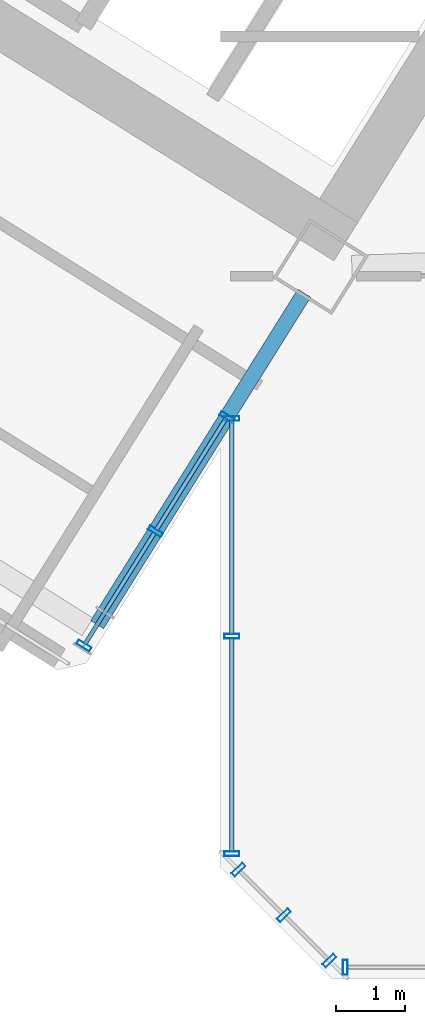
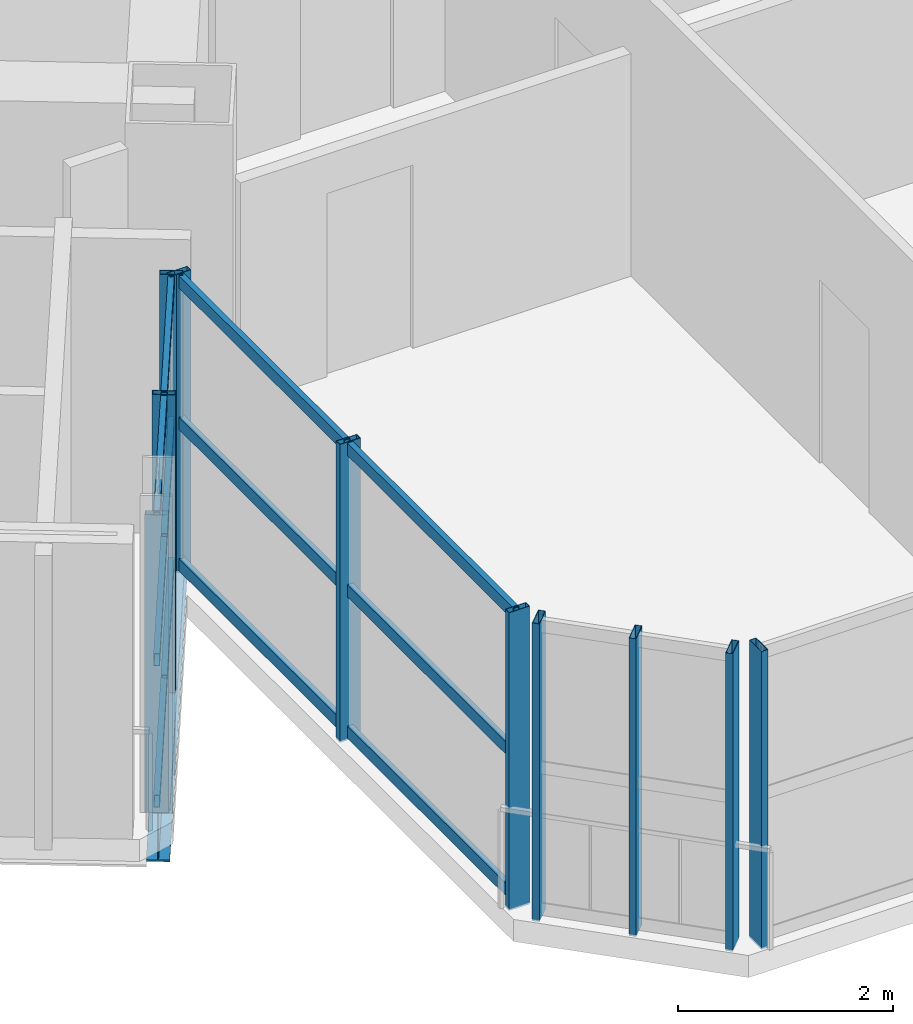
# One storey, part 5 of 28: 22 members, 1 beam, 4 elements without a shape of their own.
"""IFC4 building model written with IfcOpenShell, lengths in metres."""

import ifcopenshell
import ifcopenshell.guid

model = None  # the IFC model being written
_history = None  # IfcOwnerHistory: only IFC2X3 demands one
_inside = {}  # id of a spatial element -> (the spatial element, [elements in it])
_under = {}  # id of a project, library or spatial element -> (it, [spatial elements below it])
_declared = {}  # id of a project -> (the project, [libraries it declares])
_typed = {}  # id of a type object -> (the type object, [elements of that type])
_made_of = {}  # id of a material, layer set ... -> (it, [elements and type objects made of it])


def new_model(schema):
    """Start an empty IFC model of exactly this schema.

    Asked for "IFC4X3", IfcOpenShell would pick the latest addendum, in which some entities
    have other attributes; the version numbers below select the first issue.
    IFC2X3 requires an IfcOwnerHistory on every rooted entity: one is made here for all.
    """
    global model, _history
    if schema == "IFC4X3":
        model = ifcopenshell.file(schema_version=(4, 3, 0, 0))
    else:
        model = ifcopenshell.file(schema=schema)
    _inside.clear()
    _under.clear()
    _declared.clear()
    _typed.clear()
    _made_of.clear()
    _history = None
    if model.schema == "IFC2X3":
        org = make("IfcOrganization", Name="unknown")
        user = make(
            "IfcPersonAndOrganization",
            ThePerson=make("IfcPerson", FamilyName="unknown"),
            TheOrganization=org,
        )
        app = make(
            "IfcApplication",
            ApplicationDeveloper=org,
            Version="unknown",
            ApplicationFullName="unknown",
            ApplicationIdentifier="unknown",
        )
        _history = make(
            "IfcOwnerHistory",
            OwningUser=user,
            OwningApplication=app,
            ChangeAction="ADDED",
            CreationDate=0,
        )
    return model


def make(cls, **values):
    """One entity of the class cls with the attributes given. An attribute that is None is left unset."""
    return model.create_entity(
        cls, **{name: value for name, value in values.items() if value is not None}
    )


def rooted(cls, **values):
    """An entity with a GlobalId (a new one), such as an element, a storey or a relation."""
    return make(cls, GlobalId=ifcopenshell.guid.new(), OwnerHistory=_history, **values)


def si_unit(unit_type, name, prefix=None):
    """IfcSIUnit, for example si_unit("LENGTHUNIT", "METRE", prefix="MILLI")."""
    return make("IfcSIUnit", UnitType=unit_type, Prefix=prefix, Name=name)


def assignment(units):
    """IfcUnitAssignment: the units of a project."""
    return None if units is None else make("IfcUnitAssignment", Units=units)


def point(xyz):
    """IfcCartesianPoint."""
    return None if xyz is None else make("IfcCartesianPoint", Coordinates=xyz)


def direction(xyz):
    """IfcDirection."""
    return None if xyz is None else make("IfcDirection", DirectionRatios=xyz)


def frame(location, z_axis=None, x_axis=None):
    """IfcAxis2Placement3D, a coordinate frame: its origin and axes. An axis left out is left unset."""
    return make(
        "IfcAxis2Placement3D",
        Location=point(location),
        Axis=direction(z_axis),
        RefDirection=direction(x_axis),
    )


def frame_2d(location, x_axis=None):
    """IfcAxis2Placement2D, a coordinate frame in the plane: its origin and x axis."""
    return make(
        "IfcAxis2Placement2D", Location=point(location), RefDirection=direction(x_axis)
    )


def origin():
    """The frame at (0, 0, 0) with its axes left unset."""
    return frame((0.0, 0.0, 0.0))


def origin_2d():
    """The frame at (0, 0) in the plane with its x axis left unset."""
    return frame_2d((0.0, 0.0))


def place(relative_to, where):
    """IfcLocalPlacement: puts the frame where relative to a parent placement (None: the world)."""
    return make(
        "IfcLocalPlacement", PlacementRelTo=relative_to, RelativePlacement=where
    )


def context(
    kind, dimensions, precision=None, world=None, true_north=None, identifier=None
):
    """IfcGeometricRepresentationContext, for example the 3D "Model" context."""
    return make(
        "IfcGeometricRepresentationContext",
        ContextIdentifier=identifier,
        ContextType=kind,
        CoordinateSpaceDimension=dimensions,
        Precision=precision,
        WorldCoordinateSystem=world,
        TrueNorth=true_north,
    )


def subcontext(parent, identifier, kind, view, scale=None):
    """IfcGeometricRepresentationSubContext, for example "Body" below "Model"."""
    return make(
        "IfcGeometricRepresentationSubContext",
        ContextIdentifier=identifier,
        ContextType=kind,
        ParentContext=parent,
        TargetScale=scale,
        TargetView=view,
    )


def project(units=None, contexts=None):
    """IfcProject with its units and contexts."""
    return rooted(
        "IfcProject",
        Name="project",
        RepresentationContexts=contexts,
        UnitsInContext=assignment(units),
    )


def spatial(cls, under=None, at=None, **own):
    """A site, building, storey or space (cls), placed at a placement, below another one or the project."""
    s = rooted(cls, ObjectPlacement=at, **own)
    if under is not None:
        _under.setdefault(under.id(), (under, []))[1].append(s)
    return s


def profile(cls, at=None, kind="AREA", **sizes):
    """A parametric profile (cls). Its sizes go by their IFC names, for example OverallWidth=200.0."""
    return make(cls, ProfileType=kind, Position=at, **sizes)


def hollow_rectangle(**sizes):
    """IfcRectangleHollowProfileDef."""
    return profile("IfcRectangleHollowProfileDef", **sizes)


def i_section(**sizes):
    """IfcIShapeProfileDef."""
    return profile("IfcIShapeProfileDef", **sizes)


def extrude(swept, where, along, depth):
    """IfcExtrudedAreaSolid: the profile swept, set in the frame where, extruded along a direction by depth."""
    return make(
        "IfcExtrudedAreaSolid",
        SweptArea=swept,
        Position=where,
        ExtrudedDirection=direction(along),
        Depth=depth,
    )


def shape(context_of_items, identifier, shape_type, items):
    """IfcShapeRepresentation: the items that make up one representation, for example the "Body"."""
    return make(
        "IfcShapeRepresentation",
        ContextOfItems=context_of_items,
        RepresentationIdentifier=identifier,
        RepresentationType=shape_type,
        Items=items,
    )


def source(mapping_origin, context_of_items, identifier, shape_type, items):
    """IfcRepresentationMap: a shape defined once, which mapped items show again and again."""
    return make(
        "IfcRepresentationMap",
        MappingOrigin=mapping_origin,
        MappedRepresentation=shape(context_of_items, identifier, shape_type, items),
    )


def transform(
    local_origin,
    x_axis=None,
    y_axis=None,
    z_axis=None,
    scale=None,
    scale2=None,
    scale3=None,
    uniform=True,
):
    """IfcCartesianTransformationOperator3D, or its non-uniform kind. x_axis, y_axis, z_axis: its Axis1, 2, 3."""
    if uniform:
        return make(
            "IfcCartesianTransformationOperator3D",
            Axis1=direction(x_axis),
            Axis2=direction(y_axis),
            LocalOrigin=point(local_origin),
            Scale=scale,
            Axis3=direction(z_axis),
        )
    return make(
        "IfcCartesianTransformationOperator3DnonUniform",
        Axis1=direction(x_axis),
        Axis2=direction(y_axis),
        LocalOrigin=point(local_origin),
        Scale=scale,
        Axis3=direction(z_axis),
        Scale2=scale2,
        Scale3=scale3,
    )


def mapped(mapping_source, mapping_target):
    """IfcMappedItem: shows the shape of a source again, moved by a transform."""
    return make(
        "IfcMappedItem", MappingSource=mapping_source, MappingTarget=mapping_target
    )


def material(Name=None, Category=None):
    """IfcMaterial."""
    return make("IfcMaterial", Name=Name, Category=Category)


def material_profile(
    of_material, cross_section, Name=None, Category=None, Priority=None
):
    """IfcMaterialProfile: a cross section and its material."""
    return make(
        "IfcMaterialProfile",
        Name=Name,
        Material=of_material,
        Profile=cross_section,
        Priority=Priority,
        Category=Category,
    )


def profile_set(profiles, Name=None, composite=None):
    """IfcMaterialProfileSet."""
    return make(
        "IfcMaterialProfileSet",
        Name=Name,
        MaterialProfiles=profiles,
        CompositeProfile=composite,
    )


def made_of(thing, what):
    """Note that an element or type object is made of a material, layer set ...; save() writes the relation."""
    if what is not None:
        _made_of.setdefault(what.id(), (what, []))[1].append(thing)
    return thing


def type_object(cls, material=None, **own):
    """A type object (cls), such as IfcWallType, which elements share."""
    return made_of(rooted(cls, **own), material)


def element(
    cls,
    number,
    at=None,
    inside=None,
    cuts=None,
    type_object=None,
    material=None,
    context=None,
    identifier="Body",
    shape_type=None,
    held_by="IfcProductDefinitionShape",
    body=None,
    shapes=None,
    **own,
):
    """One element of the class cls, such as IfcWall. Its Tag is "e" and its number.

    at: its placement. inside: the storey or other place that contains it. cuts: it is an
    opening in that element (IfcRelVoidsElement). A single representation is given by context,
    identifier, shape_type and body (its items); several are given by shapes. held_by: the class
    of the entity that holds the representations. save() writes the other relations.
    """
    e = rooted(cls, Tag="e%d" % number, ObjectPlacement=at, **own)
    if body is not None:
        shapes = [shape(context, identifier, shape_type, body)]
    if shapes is not None:
        e.Representation = make(held_by, Representations=shapes)
    if inside is not None:
        _inside.setdefault(inside.id(), (inside, []))[1].append(e)
    if cuts is not None:
        rooted(
            "IfcRelVoidsElement", RelatingBuildingElement=cuts, RelatedOpeningElement=e
        )
    if type_object is not None:
        _typed.setdefault(type_object.id(), (type_object, []))[1].append(e)
    return made_of(e, material)


def aggregate(whole, parts):
    """IfcRelAggregates: a whole, such as a stair, and the parts it consists of."""
    return rooted("IfcRelAggregates", RelatingObject=whole, RelatedObjects=parts)


def save(model, path):
    """Write the relations noted so far, then the file.

    IfcRelAggregates (storeys below a building ...), IfcRelContainedInSpatialStructure (elements
    in a storey), IfcRelDefinesByType, IfcRelAssociatesMaterial and IfcRelDeclares: one each for
    every whole, place, type object, material and project.
    """
    for whole, parts in _under.values():
        aggregate(whole, parts)
    for where, things in _inside.values():
        rooted(
            "IfcRelContainedInSpatialStructure",
            RelatedElements=things,
            RelatingStructure=where,
        )
    for kind, things in _typed.values():
        rooted("IfcRelDefinesByType", RelatedObjects=things, RelatingType=kind)
    for what, things in _made_of.values():
        rooted("IfcRelAssociatesMaterial", RelatedObjects=things, RelatingMaterial=what)
    for by, libraries in _declared.values():
        rooted("IfcRelDeclares", RelatingContext=by, RelatedDefinitions=libraries)
    model.write(path)


model = new_model("IFC4")

# Units and contexts
model_context = context("Model", 3, precision=1e-05, world=origin(), true_north=direction((0.0, 1.0)))
body_context = subcontext(model_context, "Body", "Model", "MODEL_VIEW")
ifc_project = project(units=[si_unit("LENGTHUNIT", "METRE"), si_unit("AREAUNIT", "SQUARE_METRE"), si_unit("VOLUMEUNIT", "CUBIC_METRE"), si_unit("PLANEANGLEUNIT", "RADIAN"), si_unit("MASSUNIT", "GRAM", prefix="KILO")], contexts=[model_context])

# Site, building, storey
site_placement = place(None, origin())
site = spatial("IfcSite", under=ifc_project, at=site_placement, CompositionType="ELEMENT")
building_placement = place(site_placement, origin())
building = spatial("IfcBuilding", under=site, at=building_placement, Name="Tlacorven Tower", CompositionType="ELEMENT")
storey_placement = place(building_placement, frame((0.0, 0.0, 56.39990234375)))
storey = spatial("IfcBuildingStorey", under=building, at=storey_placement, Name="L14", CompositionType="ELEMENT", Elevation=56.39990234375)

# Beam
ifc_material_1 = material(Name="Steel S355J2", Category="steel")
ifc_material_profile_1 = material_profile(ifc_material_1, i_section(OverallWidth=0.219970703125, OverallDepth=0.60009765625, WebThickness=0.011962890625, FlangeThickness=0.01904296875, at=origin_2d()), Name="IPE 600")
ifc_profile_set_1 = profile_set([ifc_material_profile_1], Name="Steel S355J2")
beam_type = type_object("IfcBeamType", Name="BM-TWR-600", PredefinedType="BEAM", material=ifc_profile_set_1)
shared_shape_1 = source(origin(), body_context, "Body", "SweptSolid", [
    extrude(i_section(OverallWidth=0.219970703125, OverallDepth=0.60009765625, WebThickness=0.011962890625, FlangeThickness=0.01904296875, at=origin_2d()), origin(), (0.0, 0.0, 1.0), 5.64990234375),
])
beam_placement = place(storey_placement, frame((32.8076171875, 11.705322265625, -0.5498046875), z_axis=(-0.529897948462, -0.848061415356, 0.0), x_axis=(0.848061415356, -0.529897948462, 0.0)))
element("IfcBeam", 1, at=beam_placement, inside=storey, type_object=beam_type, Name="L14 beam BM-L14-WT1-2", PredefinedType="BEAM", context=body_context, shape_type="MappedRepresentation", body=[
    mapped(shared_shape_1, transform((0.0, 0.0, 0.0), scale=1.0)),
])

# Curtain wall, member
ifc_material_2 = material(Name="Dark solar low-E double glazing in aluminium frame", Category="aluminium")
curtain_wall_type = type_object("IfcCurtainWallType", Name="CW-TWR-LOW", PredefinedType="USERDEFINED", material=ifc_material_2)
curtain_wall_1_placement = place(storey_placement, origin())
curtain_wall_1 = element("IfcCurtainWall", 2, at=curtain_wall_1_placement, inside=storey, type_object=curtain_wall_type, Name="L14 CW-TWR-LOW Curtain Wall 76", ObjectType="UNITISED CURTAIN WALL", PredefinedType="USERDEFINED")
ifc_material_3 = material(Name="Aluminium 6063-T6 anodised", Category="aluminium")
ifc_material_profile_2 = material_profile(ifc_material_3, hollow_rectangle(XDim=0.070068359375, YDim=0.219970703125, WallThickness=0.0048828125, at=origin_2d()), Name="ALU MULLION 70X220")
ifc_profile_set_2 = profile_set([ifc_material_profile_2], Name="Aluminium 6063-T6 anodised")
member_type_1 = type_object("IfcMemberType", Name="CWM-01", PredefinedType="MULLION", material=ifc_profile_set_2)
shared_shape_2 = source(origin(), body_context, "Body", "SweptSolid", [
    extrude(hollow_rectangle(XDim=0.070068359375, YDim=0.219970703125, WallThickness=0.0048828125, at=origin_2d()), origin(), (0.0, 0.0, 1.0), 3.380126953125),
])
member_1_placement = place(storey_placement, frame((33.4013671875, 1.9599609375, -0.02001953125), z_axis=(0.0, 0.0, 1.0), x_axis=(-1.0, 0.0, 0.0)))
member_1 = element("IfcMember", 3, at=member_1_placement, type_object=member_type_1, Name="CW-L14-076 Mullion 4", PredefinedType="MULLION", context=body_context, shape_type="MappedRepresentation", body=[
    mapped(shared_shape_2, transform((0.0, 0.0, 0.0), scale=1.0)),
])
aggregate(curtain_wall_1, [member_1])

# Curtain wall, members
curtain_wall_2_placement = place(storey_placement, origin())
curtain_wall_2 = element("IfcCurtainWall", 4, at=curtain_wall_2_placement, inside=storey, type_object=curtain_wall_type, Name="L14 CW-TWR-LOW Curtain Wall 77", ObjectType="UNITISED CURTAIN WALL", PredefinedType="USERDEFINED")
member_2_placement = place(storey_placement, frame((33.1708984375, 2.055419921875, -0.02001953125), z_axis=(0.0, 0.0, 1.0), x_axis=(-0.707106781187, 0.707106781187, 0.0)))
member_2 = element("IfcMember", 5, at=member_2_placement, type_object=member_type_1, Name="CW-L14-077 Mullion 1", PredefinedType="MULLION", context=body_context, shape_type="MappedRepresentation", body=[
    mapped(shared_shape_2, transform((0.0, 0.0, 0.0), scale=1.0)),
])
member_3_placement = place(storey_placement, frame((32.51318359375, 2.713134765625, -0.02001953125), z_axis=(0.0, 0.0, 1.0), x_axis=(-0.707106781187, 0.707106781187, 0.0)))
member_3 = element("IfcMember", 6, at=member_3_placement, type_object=member_type_1, Name="CW-L14-077 Mullion 2", PredefinedType="MULLION", context=body_context, shape_type="MappedRepresentation", body=[
    mapped(shared_shape_2, transform((0.0, 0.0, 0.0), scale=1.0)),
])
member_4_placement = place(storey_placement, frame((31.85546875, 3.370849609375, -0.02001953125), z_axis=(0.0, 0.0, 1.0), x_axis=(-0.707106781187, 0.707106781187, 0.0)))
member_4 = element("IfcMember", 7, at=member_4_placement, type_object=member_type_1, Name="CW-L14-077 Mullion 3", PredefinedType="MULLION", context=body_context, shape_type="MappedRepresentation", body=[
    mapped(shared_shape_2, transform((0.0, 0.0, 0.0), scale=1.0)),
])
aggregate(curtain_wall_2, [member_2, member_3, member_4])

curtain_wall_3_placement = place(storey_placement, origin())
curtain_wall_3 = element("IfcCurtainWall", 8, at=curtain_wall_3_placement, inside=storey, type_object=curtain_wall_type, Name="L14 CW-TWR-LOW Curtain Wall 78", ObjectType="UNITISED CURTAIN WALL", PredefinedType="USERDEFINED")
member_5_placement = place(storey_placement, frame((31.760009765625, 3.601318359375, -0.02001953125), z_axis=(0.0, 0.0, 1.0), x_axis=(0.0, 1.0, 0.0)))
member_5 = element("IfcMember", 9, at=member_5_placement, type_object=member_type_1, Name="CW-L14-078 Mullion 1", PredefinedType="MULLION", context=body_context, shape_type="MappedRepresentation", body=[
    mapped(shared_shape_2, transform((0.0, 0.0, 0.0), scale=1.0)),
])
member_6_placement = place(storey_placement, frame((31.760009765625, 6.74755859375, -0.02001953125), z_axis=(0.0, 0.0, 1.0), x_axis=(0.0, 1.0, 0.0)))
member_6 = element("IfcMember", 10, at=member_6_placement, type_object=member_type_1, Name="CW-L14-078 Mullion 2", PredefinedType="MULLION", context=body_context, shape_type="MappedRepresentation", body=[
    mapped(shared_shape_2, transform((0.0, 0.0, 0.0), scale=1.0)),
])
member_7_placement = place(storey_placement, frame((31.760009765625, 9.8935546875, -0.02001953125), z_axis=(0.0, 0.0, 1.0), x_axis=(0.0, 1.0, 0.0)))
member_7 = element("IfcMember", 11, at=member_7_placement, type_object=member_type_1, Name="CW-L14-078 Mullion 3", PredefinedType="MULLION", context=body_context, shape_type="MappedRepresentation", body=[
    mapped(shared_shape_2, transform((0.0, 0.0, 0.0), scale=1.0)),
])

curtain_wall_4_placement = place(storey_placement, origin())
curtain_wall_4 = element("IfcCurtainWall", 12, at=curtain_wall_4_placement, inside=storey, type_object=curtain_wall_type, Name="L14 CW-TWR-LOW Curtain Wall 79", ObjectType="UNITISED CURTAIN WALL", PredefinedType="USERDEFINED")
member_8_placement = place(storey_placement, frame((31.6884765625, 9.9140625, -0.02001953125), z_axis=(0.0, 0.0, 1.0), x_axis=(-0.529918710919, -0.848048441905, 0.0)))
member_8 = element("IfcMember", 13, at=member_8_placement, type_object=member_type_1, Name="CW-L14-079 Mullion 1", PredefinedType="MULLION", context=body_context, shape_type="MappedRepresentation", body=[
    mapped(shared_shape_2, transform((0.0, 0.0, 0.0), scale=1.0)),
])
member_9_placement = place(storey_placement, frame((30.656005859375, 8.261962890625, -0.02001953125), z_axis=(0.0, 0.0, 1.0), x_axis=(-0.529918710919, -0.848048441905, 0.0)))
member_9 = element("IfcMember", 14, at=member_9_placement, type_object=member_type_1, Name="CW-L14-079 Mullion 2", PredefinedType="MULLION", context=body_context, shape_type="MappedRepresentation", body=[
    mapped(shared_shape_2, transform((0.0, 0.0, 0.0), scale=1.0)),
])
member_10_placement = place(storey_placement, frame((29.62353515625, 6.609619140625, -0.02001953125), z_axis=(0.0, 0.0, 1.0), x_axis=(-0.529918710919, -0.848048441905, 0.0)))
member_10 = element("IfcMember", 15, at=member_10_placement, type_object=member_type_1, Name="CW-L14-079 Mullion 3", PredefinedType="MULLION", context=body_context, shape_type="MappedRepresentation", body=[
    mapped(shared_shape_2, transform((0.0, 0.0, 0.0), scale=1.0)),
])

# Member
ifc_material_profile_3 = material_profile(ifc_material_3, hollow_rectangle(XDim=0.06005859375, YDim=0.139892578125, WallThickness=0.00390625, at=origin_2d()), Name="ALU TRANSOM 60X140")
ifc_profile_set_3 = profile_set([ifc_material_profile_3], Name="Aluminium 6063-T6 anodised")
member_type_2 = type_object("IfcMemberType", Name="CWT-02", PredefinedType="USERDEFINED", material=ifc_profile_set_3)
shared_shape_3 = source(origin(), body_context, "Body", "SweptSolid", [
    extrude(hollow_rectangle(XDim=0.06005859375, YDim=0.139892578125, WallThickness=0.00390625, at=origin_2d()), origin(), (0.0, 0.0, 1.0), 3.10009765625),
])
member_11_placement = place(storey_placement, frame((31.760009765625, 3.624267578125, 0.070068359375), z_axis=(0.0, 1.0, 0.0), x_axis=(-1.0, 0.0, 0.0)))
member_11 = element("IfcMember", 16, at=member_11_placement, type_object=member_type_2, Name="CW-L14-078 Transom 1", ObjectType="TRANSOM", PredefinedType="USERDEFINED", context=body_context, shape_type="MappedRepresentation", body=[
    mapped(shared_shape_3, transform((0.0, 0.0, 0.0), scale=1.0)),
])

member_12_placement = place(storey_placement, frame((31.760009765625, 3.624267578125, 1.675048828125), z_axis=(0.0, 1.0, 0.0), x_axis=(-1.0, 0.0, 0.0)))
member_12 = element("IfcMember", 17, at=member_12_placement, type_object=member_type_2, Name="CW-L14-078 Transom 2", ObjectType="TRANSOM", PredefinedType="USERDEFINED", context=body_context, shape_type="MappedRepresentation", body=[
    mapped(shared_shape_3, transform((0.0, 0.0, 0.0), scale=1.0)),
])

member_13_placement = place(storey_placement, frame((31.760009765625, 3.624267578125, 3.280029296875), z_axis=(0.0, 1.0, 0.0), x_axis=(-1.0, 0.0, 0.0)))
member_13 = element("IfcMember", 18, at=member_13_placement, type_object=member_type_2, Name="CW-L14-078 Transom 3", ObjectType="TRANSOM", PredefinedType="USERDEFINED", context=body_context, shape_type="MappedRepresentation", body=[
    mapped(shared_shape_3, transform((0.0, 0.0, 0.0), scale=1.0)),
])

member_14_placement = place(storey_placement, frame((31.760009765625, 6.7705078125, 0.070068359375), z_axis=(0.0, 1.0, 0.0), x_axis=(-1.0, 0.0, 0.0)))
member_14 = element("IfcMember", 19, at=member_14_placement, type_object=member_type_2, Name="CW-L14-078 Transom 4", ObjectType="TRANSOM", PredefinedType="USERDEFINED", context=body_context, shape_type="MappedRepresentation", body=[
    mapped(shared_shape_3, transform((0.0, 0.0, 0.0), scale=1.0)),
])

member_15_placement = place(storey_placement, frame((31.760009765625, 6.7705078125, 1.675048828125), z_axis=(0.0, 1.0, 0.0), x_axis=(-1.0, 0.0, 0.0)))
member_15 = element("IfcMember", 20, at=member_15_placement, type_object=member_type_2, Name="CW-L14-078 Transom 5", ObjectType="TRANSOM", PredefinedType="USERDEFINED", context=body_context, shape_type="MappedRepresentation", body=[
    mapped(shared_shape_3, transform((0.0, 0.0, 0.0), scale=1.0)),
])

member_16_placement = place(storey_placement, frame((31.760009765625, 6.7705078125, 3.280029296875), z_axis=(0.0, 1.0, 0.0), x_axis=(-1.0, 0.0, 0.0)))
member_16 = element("IfcMember", 21, at=member_16_placement, type_object=member_type_2, Name="CW-L14-078 Transom 6", ObjectType="TRANSOM", PredefinedType="USERDEFINED", context=body_context, shape_type="MappedRepresentation", body=[
    mapped(shared_shape_3, transform((0.0, 0.0, 0.0), scale=1.0)),
])

aggregate(curtain_wall_3, [member_5, member_6, member_7, member_11, member_12, member_13, member_14, member_15, member_16])

shared_shape_4 = source(origin(), body_context, "Body", "SweptSolid", [
    extrude(hollow_rectangle(XDim=0.06005859375, YDim=0.139892578125, WallThickness=0.00390625, at=origin_2d()), origin(), (0.0, 0.0, 1.0), 1.902587890625),
])
member_17_placement = place(storey_placement, frame((31.67626953125, 9.894775390625, 0.070068359375), z_axis=(-0.529848980307, -0.848092010378, 0.0), x_axis=(0.848092010378, -0.529848980307, 0.0)))
member_17 = element("IfcMember", 22, at=member_17_placement, type_object=member_type_2, Name="CW-L14-079 Transom 1", ObjectType="TRANSOM", PredefinedType="USERDEFINED", context=body_context, shape_type="MappedRepresentation", body=[
    mapped(shared_shape_4, transform((0.0, 0.0, 0.0), scale=1.0)),
])

member_18_placement = place(storey_placement, frame((31.67626953125, 9.894775390625, 1.675048828125), z_axis=(-0.529848980307, -0.848092010378, 0.0), x_axis=(0.848092010378, -0.529848980307, 0.0)))
member_18 = element("IfcMember", 23, at=member_18_placement, type_object=member_type_2, Name="CW-L14-079 Transom 2", ObjectType="TRANSOM", PredefinedType="USERDEFINED", context=body_context, shape_type="MappedRepresentation", body=[
    mapped(shared_shape_4, transform((0.0, 0.0, 0.0), scale=1.0)),
])

member_19_placement = place(storey_placement, frame((31.67626953125, 9.894775390625, 3.280029296875), z_axis=(-0.529848980307, -0.848092010378, 0.0), x_axis=(0.848092010378, -0.529848980307, 0.0)))
member_19 = element("IfcMember", 24, at=member_19_placement, type_object=member_type_2, Name="CW-L14-079 Transom 3", ObjectType="TRANSOM", PredefinedType="USERDEFINED", context=body_context, shape_type="MappedRepresentation", body=[
    mapped(shared_shape_4, transform((0.0, 0.0, 0.0), scale=1.0)),
])

shared_shape_5 = source(origin(), body_context, "Body", "SweptSolid", [
    extrude(hollow_rectangle(XDim=0.06005859375, YDim=0.139892578125, WallThickness=0.00390625, at=origin_2d()), origin(), (0.0, 0.0, 1.0), 1.90234375),
])
member_20_placement = place(storey_placement, frame((30.643798828125, 8.242431640625, 0.070068359375), z_axis=(-0.52990664903, -0.84805597888, 0.0), x_axis=(0.84805597888, -0.52990664903, 0.0)))
member_20 = element("IfcMember", 25, at=member_20_placement, type_object=member_type_2, Name="CW-L14-079 Transom 4", ObjectType="TRANSOM", PredefinedType="USERDEFINED", context=body_context, shape_type="MappedRepresentation", body=[
    mapped(shared_shape_5, transform((0.0, 0.0, 0.0), scale=1.0)),
])

member_21_placement = place(storey_placement, frame((30.643798828125, 8.242431640625, 1.675048828125), z_axis=(-0.52990664903, -0.84805597888, 0.0), x_axis=(0.84805597888, -0.52990664903, 0.0)))
member_21 = element("IfcMember", 26, at=member_21_placement, type_object=member_type_2, Name="CW-L14-079 Transom 5", ObjectType="TRANSOM", PredefinedType="USERDEFINED", context=body_context, shape_type="MappedRepresentation", body=[
    mapped(shared_shape_5, transform((0.0, 0.0, 0.0), scale=1.0)),
])

member_22_placement = place(storey_placement, frame((30.643798828125, 8.242431640625, 3.280029296875), z_axis=(-0.52990664903, -0.84805597888, 0.0), x_axis=(0.84805597888, -0.52990664903, 0.0)))
member_22 = element("IfcMember", 27, at=member_22_placement, type_object=member_type_2, Name="CW-L14-079 Transom 6", ObjectType="TRANSOM", PredefinedType="USERDEFINED", context=body_context, shape_type="MappedRepresentation", body=[
    mapped(shared_shape_5, transform((0.0, 0.0, 0.0), scale=1.0)),
])

aggregate(curtain_wall_4, [member_8, member_9, member_10, member_17, member_18, member_19, member_20, member_21, member_22])

save(model, "model.ifc")
